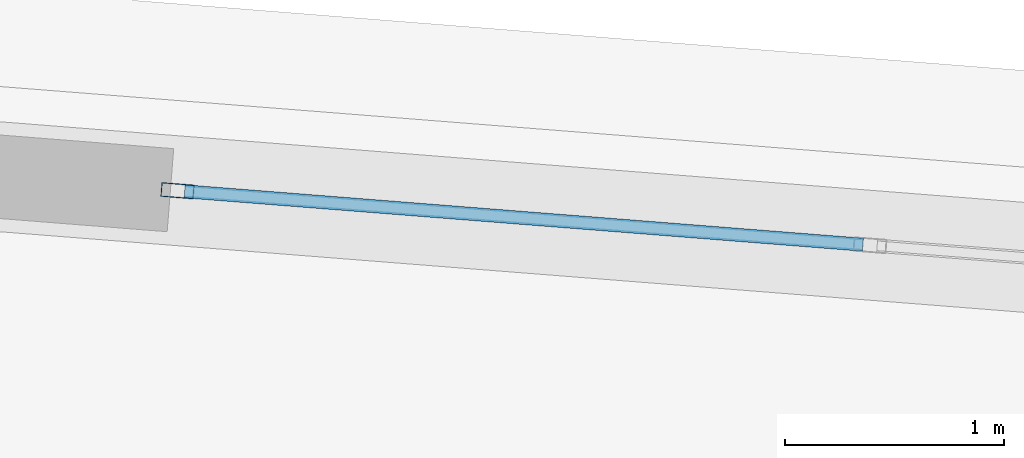
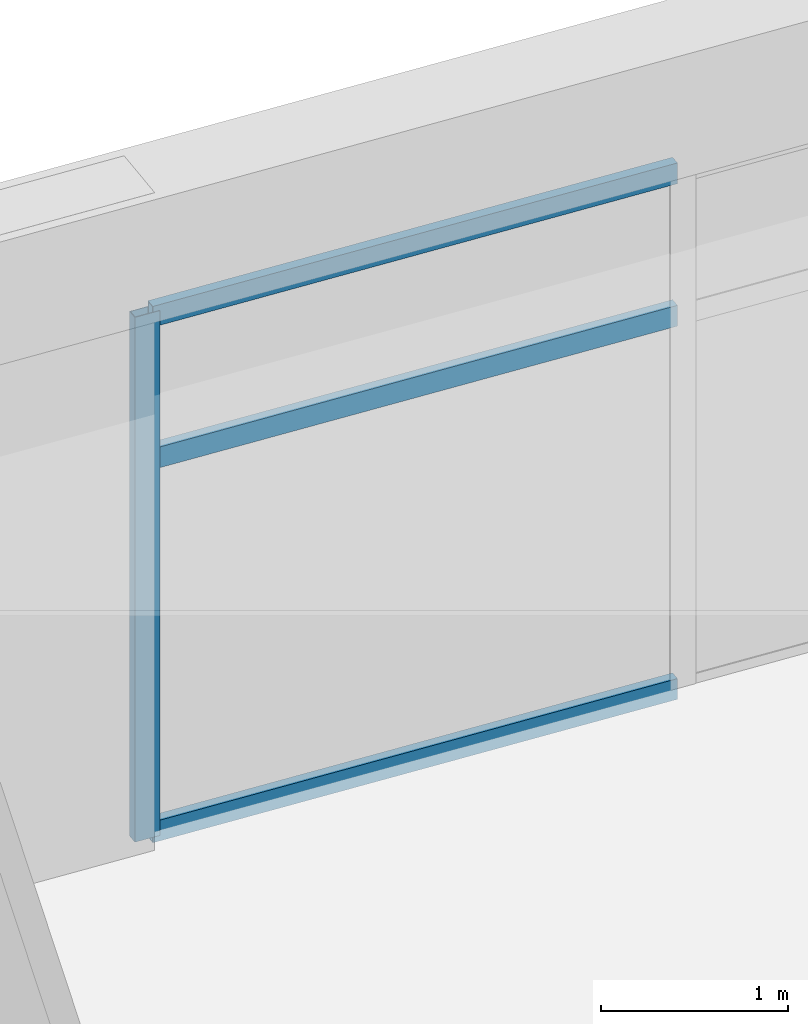
# One storey, part 24 of 35: 4 members, 1 element without a shape of its own.
"""IFC4 building model written with IfcOpenShell, lengths in metres."""

from ifc_helpers import new_model, si_unit, direction, frame, origin, origin_2d, place, context, subcontext, project, spatial, hollow_rectangle, extrude, source, transform, mapped, material, layer, layer_set, material_profile, profile_set, type_object, element, aggregate, save


model = new_model("IFC4")

# Units and contexts
model_context = context("Model", 3, precision=1e-05, world=origin(), true_north=direction((0.0, 1.0)))
body_context = subcontext(model_context, "Body", "Model", "MODEL_VIEW")
ifc_project = project(units=[si_unit("LENGTHUNIT", "METRE"), si_unit("AREAUNIT", "SQUARE_METRE"), si_unit("VOLUMEUNIT", "CUBIC_METRE"), si_unit("PLANEANGLEUNIT", "RADIAN"), si_unit("MASSUNIT", "GRAM", prefix="KILO")], contexts=[model_context])

# Site, building, storey
site_placement = place(None, origin())
site = spatial("IfcSite", under=ifc_project, at=site_placement, CompositionType="ELEMENT")
building_placement = place(site_placement, origin())
building = spatial("IfcBuilding", under=site, at=building_placement, Name="Liaohun Quay Tower", CompositionType="ELEMENT")
storey_placement = place(building_placement, frame((0.0, 0.0, 282.0)))
storey = spatial("IfcBuildingStorey", under=building, at=storey_placement, Name="L73", CompositionType="ELEMENT", Elevation=282.0)

# Curtain wall, members
ifc_material_1 = material(Name="Upper sky-lobby belvedere curtain wall")
ifc_layer = layer(ifc_material_1, 0.199951171875, Name="Upper sky-lobby belvedere curtain wall")
ifc_layer_set = layer_set([ifc_layer], Name="Upper sky-lobby belvedere curtain wall")
curtain_wall_type = type_object("IfcCurtainWallType", Name="CW-SKY-L73", PredefinedType="NOTDEFINED", material=ifc_layer_set)
curtain_wall_placement = place(storey_placement, origin())
curtain_wall = element("IfcCurtainWall", 1, at=curtain_wall_placement, inside=storey, type_object=curtain_wall_type, Name="L73 Panoramic Belvedere Curtain Wall 03", PredefinedType="NOTDEFINED")
ifc_material_2 = material(Name="Anodised aluminium 6063-T6", Category="aluminium")
ifc_material_profile_1 = material_profile(ifc_material_2, hollow_rectangle(XDim=0.06494140625, YDim=0.14990234375, WallThickness=0.00390625, at=origin_2d()), Name="RHS150x65x4")
ifc_profile_set_1 = profile_set([ifc_material_profile_1], Name="Anodised aluminium 6063-T6")
member_type_1 = type_object("IfcMemberType", Name="MEM-CWM-SKY", PredefinedType="MULLION", material=ifc_profile_set_1)
shared_shape_1 = source(origin(), body_context, "Body", "SweptSolid", [
    extrude(hollow_rectangle(XDim=0.06494140625, YDim=0.14990234375, WallThickness=0.00390625, at=origin_2d()), origin(), (0.0, 0.0, 1.0), 3.419921875),
])
member_1_placement = place(storey_placement, frame((71.00634765625, 75.99853515625, 0.0), z_axis=(0.0, 0.0, 1.0), x_axis=(-0.078428726082, -0.996919723411, 0.0)))
member_1 = element("IfcMember", 2, at=member_1_placement, type_object=member_type_1, Name="CW5 mullion 3", PredefinedType="MULLION", context=body_context, shape_type="MappedRepresentation", body=[
    mapped(shared_shape_1, transform((0.0, 0.0, 0.0), x_axis=(1.0, 0.0, 0.0), y_axis=(0.0, 1.0, 0.0), z_axis=(0.0, 0.0, 1.0), scale=1.0)),
])
ifc_material_profile_2 = material_profile(ifc_material_2, hollow_rectangle(XDim=0.06005859375, YDim=0.135009765625, WallThickness=0.00390625, at=origin_2d()), Name="RHS135x60x4")
ifc_profile_set_2 = profile_set([ifc_material_profile_2], Name="Anodised aluminium 6063-T6")
member_type_2 = type_object("IfcMemberType", Name="MEM-CWT-SKY", PredefinedType="USERDEFINED", material=ifc_profile_set_2)
shared_shape_2 = source(origin(), body_context, "Body", "SweptSolid", [
    extrude(hollow_rectangle(XDim=0.06005859375, YDim=0.135009765625, WallThickness=0.00390625, at=origin_2d()), origin(), (0.0, 0.0, 1.0), 3.102783203125),
])
member_2_placement = place(storey_placement, frame((74.132080078125, 75.75244140625, 0.030029296875), z_axis=(-0.996918260672, 0.078447316961, 0.0), x_axis=(-0.078447316961, -0.996918260672, 0.0)))
member_2 = element("IfcMember", 3, at=member_2_placement, type_object=member_type_2, Name="CW5 transom 2.1", ObjectType="TRANSOM", PredefinedType="USERDEFINED", context=body_context, shape_type="MappedRepresentation", body=[
    mapped(shared_shape_2, transform((0.0, 0.0, 0.0), x_axis=(1.0, 0.0, 0.0), y_axis=(0.0, 1.0, 0.0), z_axis=(0.0, 0.0, 1.0), scale=1.0)),
])
member_3_placement = place(storey_placement, frame((74.132080078125, 75.75244140625, 2.4619140625), z_axis=(-0.996918260672, 0.078447316961, 0.0), x_axis=(-0.078447316961, -0.996918260672, 0.0)))
member_3 = element("IfcMember", 4, at=member_3_placement, type_object=member_type_2, Name="CW5 transom 2.2", ObjectType="TRANSOM", PredefinedType="USERDEFINED", context=body_context, shape_type="MappedRepresentation", body=[
    mapped(shared_shape_2, transform((0.0, 0.0, 0.0), x_axis=(1.0, 0.0, 0.0), y_axis=(0.0, 1.0, 0.0), z_axis=(0.0, 0.0, 1.0), scale=1.0)),
])
member_4_placement = place(storey_placement, frame((74.132080078125, 75.75244140625, 3.389892578125), z_axis=(-0.996918260672, 0.078447316961, 0.0), x_axis=(-0.078447316961, -0.996918260672, 0.0)))
member_4 = element("IfcMember", 5, at=member_4_placement, type_object=member_type_2, Name="CW5 transom 2.3", ObjectType="TRANSOM", PredefinedType="USERDEFINED", context=body_context, shape_type="MappedRepresentation", body=[
    mapped(shared_shape_2, transform((0.0, 0.0, 0.0), x_axis=(1.0, 0.0, 0.0), y_axis=(0.0, 1.0, 0.0), z_axis=(0.0, 0.0, 1.0), scale=1.0)),
])
aggregate(curtain_wall, [member_1, member_2, member_3, member_4])

save(model, "model.ifc")
